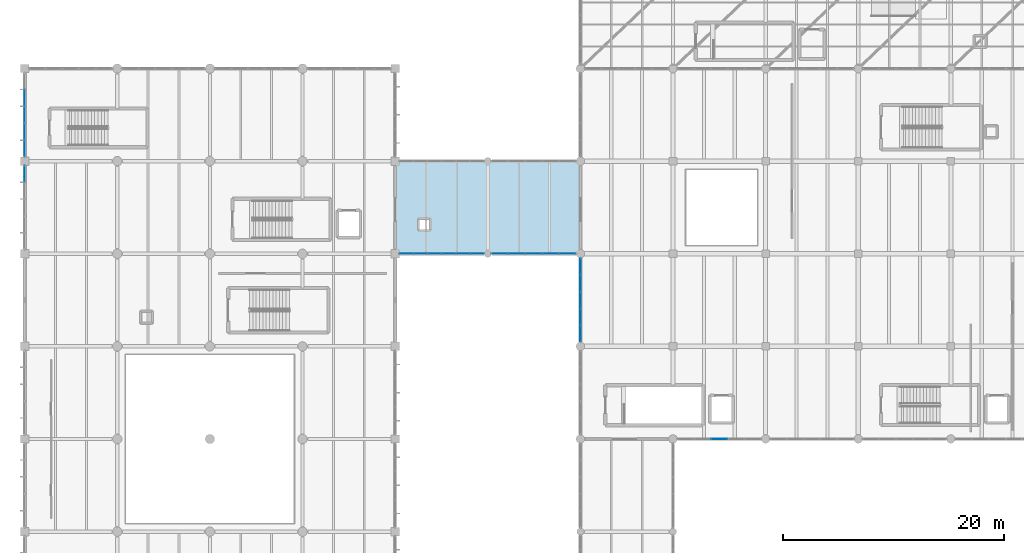
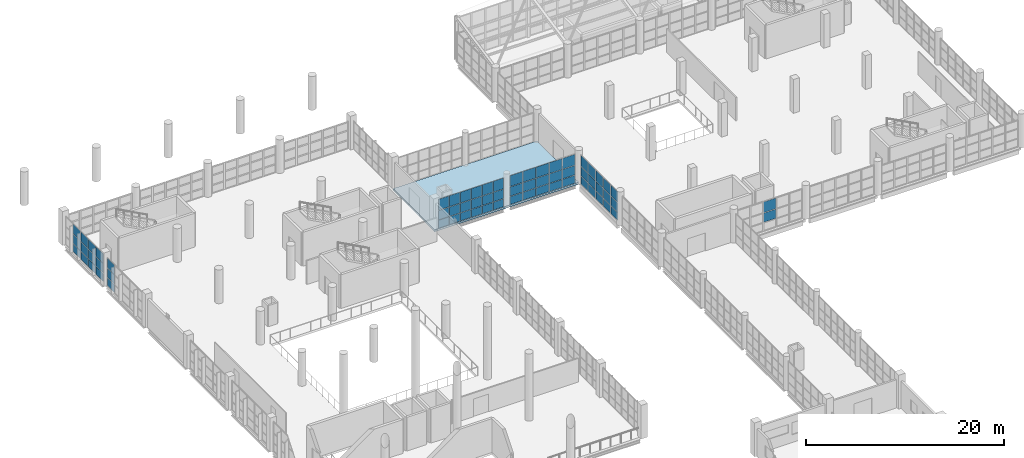
# One storey, part 129 of 177: 65 plates, 1 slab, 6 elements without a shape of their own.
"""IFC4 building model written with IfcOpenShell, lengths in metres."""

from ifc_helpers import new_model, si_unit, direction, frame, origin, origin_2d, place, context, subcontext, project, spatial, polyline, rectangle, outline, extrude, material, layer, layer_set, type_object, element, aggregate, save


model = new_model("IFC4")

# Units and contexts
model_context = context("Model", 3, precision=1e-05, world=origin(), true_north=direction((0.0, 1.0)))
body_context = subcontext(model_context, "Body", "Model", "MODEL_VIEW")
ifc_project = project(units=[si_unit("LENGTHUNIT", "METRE"), si_unit("AREAUNIT", "SQUARE_METRE"), si_unit("VOLUMEUNIT", "CUBIC_METRE"), si_unit("PLANEANGLEUNIT", "RADIAN"), si_unit("MASSUNIT", "GRAM", prefix="KILO"), si_unit("THERMODYNAMICTEMPERATUREUNIT", "KELVIN"), si_unit("POWERUNIT", "WATT")], contexts=[model_context])

# Site, building, storey
site_placement = place(None, origin())
site = spatial("IfcSite", under=ifc_project, at=site_placement, CompositionType="ELEMENT")
building_placement = place(site_placement, origin())
building = spatial("IfcBuilding", under=site, at=building_placement, Name="Mavoryth Pier Ferry Terminal", CompositionType="ELEMENT")
storey_placement = place(building_placement, frame((0.0, 0.0, 5.43994140625)))
storey = spatial("IfcBuildingStorey", under=building, at=storey_placement, Name="L01", CompositionType="ELEMENT", Elevation=5.43994140625)

# Curtain wall, plates
ifc_material_1 = material(Name="Anodised Aluminium and Solar-Control Low-E Glass", Category="aluminium")
ifc_layer_1 = layer(ifc_material_1, 0.179931640625, Name="Anodised Aluminium and Solar-Control Low-E Glass", Category="aluminium")
ifc_layer_set_1 = layer_set([ifc_layer_1], Name="Anodised Aluminium and Solar-Control Low-E Glass - CW-Concourse-Mod1400")
curtain_wall_type_1 = type_object("IfcCurtainWallType", Name="CW-Concourse-Mod1400", PredefinedType="USERDEFINED", material=ifc_layer_set_1)
curtain_wall_1_placement = place(storey_placement, origin())
curtain_wall_1 = element("IfcCurtainWall", 1, at=curtain_wall_1_placement, inside=storey, type_object=curtain_wall_type_1, Name="Curtain Wall CW-0122-027", ObjectType="UNITISED CURTAIN WALL", PredefinedType="USERDEFINED")
ifc_material_2 = material(Name="Solar-Control Low-E Laminated Double Glazing", Category="glass")
ifc_layer_2 = layer(ifc_material_2, 0.02392578125, Name="Solar-Control Low-E Laminated Double Glazing", Category="glass")
ifc_layer_set_2 = layer_set([ifc_layer_2], Name="Solar-Control Low-E Laminated Double Glazing - Panel-LowE-DGU-24")
plate_type = type_object("IfcPlateType", Name="Panel-LowE-DGU-24", PredefinedType="CURTAIN_PANEL", material=ifc_layer_set_2)
plate_1_placement = place(storey_placement, frame((0.0, 96.445068359375, 0.06005859375), z_axis=(0.0, 0.0, 1.0), x_axis=(0.0, -1.0, 0.0)))
plate_1 = element("IfcPlate", 2, at=plate_1_placement, type_object=plate_type, Name="CW01 panel 1.1", PredefinedType="CURTAIN_PANEL", context=body_context, shape_type="SweptSolid", body=[
    extrude(rectangle(XDim=1.43994140625, YDim=0.02392578125, at=origin_2d()), origin(), (0.0, 0.0, 1.0), 0.9599609375),
])
plate_2_placement = place(storey_placement, frame((0.0, 96.445068359375, 1.080078125), z_axis=(0.0, 0.0, 1.0), x_axis=(0.0, -1.0, 0.0)))
plate_2 = element("IfcPlate", 3, at=plate_2_placement, type_object=plate_type, Name="CW01 panel 1.2", PredefinedType="CURTAIN_PANEL", context=body_context, shape_type="SweptSolid", body=[
    extrude(rectangle(XDim=1.43994140625, YDim=0.02392578125, at=origin_2d()), origin(), (0.0, 0.0, 1.0), 1.139892578125),
])
plate_3_placement = place(storey_placement, frame((0.0, 96.445068359375, 2.2802734375), z_axis=(0.0, 0.0, 1.0), x_axis=(0.0, -1.0, 0.0)))
plate_3 = element("IfcPlate", 4, at=plate_3_placement, type_object=plate_type, Name="CW01 panel 1.3", PredefinedType="CURTAIN_PANEL", context=body_context, shape_type="SweptSolid", body=[
    extrude(rectangle(XDim=1.43994140625, YDim=0.02392578125, at=origin_2d()), origin(), (0.0, 0.0, 1.0), 1.175048828125),
])
aggregate(curtain_wall_1, [plate_1, plate_2, plate_3])

curtain_wall_2_placement = place(storey_placement, origin())
curtain_wall_2 = element("IfcCurtainWall", 5, at=curtain_wall_2_placement, inside=storey, type_object=curtain_wall_type_1, Name="Curtain Wall CW-0122-032", ObjectType="UNITISED CURTAIN WALL", PredefinedType="USERDEFINED")
plate_4_placement = place(storey_placement, frame((0.0, 103.330078125, 0.06005859375), z_axis=(0.0, 0.0, 1.0), x_axis=(0.0, -1.0, 0.0)))
plate_4 = element("IfcPlate", 6, at=plate_4_placement, type_object=plate_type, Name="CW01 panel 2.1", PredefinedType="CURTAIN_PANEL", context=body_context, shape_type="SweptSolid", body=[
    extrude(rectangle(XDim=1.469970703125, YDim=0.02392578125, at=origin_2d()), origin(), (0.0, 0.0, 1.0), 0.9599609375),
])
plate_5_placement = place(storey_placement, frame((0.0, 103.330078125, 1.080078125), z_axis=(0.0, 0.0, 1.0), x_axis=(0.0, -1.0, 0.0)))
plate_5 = element("IfcPlate", 7, at=plate_5_placement, type_object=plate_type, Name="CW01 panel 2.2", PredefinedType="CURTAIN_PANEL", context=body_context, shape_type="SweptSolid", body=[
    extrude(rectangle(XDim=1.469970703125, YDim=0.02392578125, at=origin_2d()), origin(), (0.0, 0.0, 1.0), 1.139892578125),
])
plate_6_placement = place(storey_placement, frame((0.0, 103.330078125, 2.2802734375), z_axis=(0.0, 0.0, 1.0), x_axis=(0.0, -1.0, 0.0)))
plate_6 = element("IfcPlate", 8, at=plate_6_placement, type_object=plate_type, Name="CW01 panel 2.3", PredefinedType="CURTAIN_PANEL", context=body_context, shape_type="SweptSolid", body=[
    extrude(rectangle(XDim=1.469970703125, YDim=0.02392578125, at=origin_2d()), origin(), (0.0, 0.0, 1.0), 1.175048828125),
])
plate_7_placement = place(storey_placement, frame((0.0, 101.800048828125, 0.06005859375), z_axis=(0.0, 0.0, 1.0), x_axis=(0.0, -1.0, 0.0)))
plate_7 = element("IfcPlate", 9, at=plate_7_placement, type_object=plate_type, Name="CW01 panel 3.1", PredefinedType="CURTAIN_PANEL", context=body_context, shape_type="SweptSolid", body=[
    extrude(rectangle(XDim=1.469970703125, YDim=0.02392578125, at=origin_2d()), origin(), (0.0, 0.0, 1.0), 0.9599609375),
])
plate_8_placement = place(storey_placement, frame((0.0, 101.800048828125, 1.080078125), z_axis=(0.0, 0.0, 1.0), x_axis=(0.0, -1.0, 0.0)))
plate_8 = element("IfcPlate", 10, at=plate_8_placement, type_object=plate_type, Name="CW01 panel 3.2", PredefinedType="CURTAIN_PANEL", context=body_context, shape_type="SweptSolid", body=[
    extrude(rectangle(XDim=1.469970703125, YDim=0.02392578125, at=origin_2d()), origin(), (0.0, 0.0, 1.0), 1.139892578125),
])
plate_9_placement = place(storey_placement, frame((0.0, 101.800048828125, 2.2802734375), z_axis=(0.0, 0.0, 1.0), x_axis=(0.0, -1.0, 0.0)))
plate_9 = element("IfcPlate", 11, at=plate_9_placement, type_object=plate_type, Name="CW01 panel 3.3", PredefinedType="CURTAIN_PANEL", context=body_context, shape_type="SweptSolid", body=[
    extrude(rectangle(XDim=1.469970703125, YDim=0.02392578125, at=origin_2d()), origin(), (0.0, 0.0, 1.0), 1.175048828125),
])
plate_10_placement = place(storey_placement, frame((0.0, 100.27001953125, 0.06005859375), z_axis=(0.0, 0.0, 1.0), x_axis=(0.0, -1.0, 0.0)))
plate_10 = element("IfcPlate", 12, at=plate_10_placement, type_object=plate_type, Name="CW01 panel 4.1", PredefinedType="CURTAIN_PANEL", context=body_context, shape_type="SweptSolid", body=[
    extrude(rectangle(XDim=1.469970703125, YDim=0.02392578125, at=origin_2d()), origin(), (0.0, 0.0, 1.0), 0.9599609375),
])
plate_11_placement = place(storey_placement, frame((0.0, 100.27001953125, 1.080078125), z_axis=(0.0, 0.0, 1.0), x_axis=(0.0, -1.0, 0.0)))
plate_11 = element("IfcPlate", 13, at=plate_11_placement, type_object=plate_type, Name="CW01 panel 4.2", PredefinedType="CURTAIN_PANEL", context=body_context, shape_type="SweptSolid", body=[
    extrude(rectangle(XDim=1.469970703125, YDim=0.02392578125, at=origin_2d()), origin(), (0.0, 0.0, 1.0), 1.139892578125),
])
plate_12_placement = place(storey_placement, frame((0.0, 100.27001953125, 2.2802734375), z_axis=(0.0, 0.0, 1.0), x_axis=(0.0, -1.0, 0.0)))
plate_12 = element("IfcPlate", 14, at=plate_12_placement, type_object=plate_type, Name="CW01 panel 4.3", PredefinedType="CURTAIN_PANEL", context=body_context, shape_type="SweptSolid", body=[
    extrude(rectangle(XDim=1.469970703125, YDim=0.02392578125, at=origin_2d()), origin(), (0.0, 0.0, 1.0), 1.175048828125),
])
plate_13_placement = place(storey_placement, frame((0.0, 98.7548828125, 0.06005859375), z_axis=(0.0, 0.0, 1.0), x_axis=(0.0, -1.0, 0.0)))
plate_13 = element("IfcPlate", 15, at=plate_13_placement, type_object=plate_type, Name="CW01 panel 5.1", PredefinedType="CURTAIN_PANEL", context=body_context, shape_type="SweptSolid", body=[
    extrude(rectangle(XDim=1.43994140625, YDim=0.02392578125, at=origin_2d()), origin(), (0.0, 0.0, 1.0), 0.9599609375),
])
plate_14_placement = place(storey_placement, frame((0.0, 98.7548828125, 1.080078125), z_axis=(0.0, 0.0, 1.0), x_axis=(0.0, -1.0, 0.0)))
plate_14 = element("IfcPlate", 16, at=plate_14_placement, type_object=plate_type, Name="CW01 panel 5.2", PredefinedType="CURTAIN_PANEL", context=body_context, shape_type="SweptSolid", body=[
    extrude(rectangle(XDim=1.43994140625, YDim=0.02392578125, at=origin_2d()), origin(), (0.0, 0.0, 1.0), 1.139892578125),
])
plate_15_placement = place(storey_placement, frame((0.0, 98.7548828125, 2.2802734375), z_axis=(0.0, 0.0, 1.0), x_axis=(0.0, -1.0, 0.0)))
plate_15 = element("IfcPlate", 17, at=plate_15_placement, type_object=plate_type, Name="CW01 panel 5.3", PredefinedType="CURTAIN_PANEL", context=body_context, shape_type="SweptSolid", body=[
    extrude(rectangle(XDim=1.43994140625, YDim=0.02392578125, at=origin_2d()), origin(), (0.0, 0.0, 1.0), 1.175048828125),
])
aggregate(curtain_wall_2, [plate_4, plate_5, plate_6, plate_7, plate_8, plate_9, plate_10, plate_11, plate_12, plate_13, plate_14, plate_15])

ifc_layer_3 = layer(ifc_material_1, 0.159912109375, Name="Anodised Aluminium and Solar-Control Low-E Glass", Category="aluminium")
ifc_layer_set_3 = layer_set([ifc_layer_3], Name="Anodised Aluminium and Solar-Control Low-E Glass - CW-Arrivals-Mod1400")
curtain_wall_type_2 = type_object("IfcCurtainWallType", Name="CW-Arrivals-Mod1400", PredefinedType="USERDEFINED", material=ifc_layer_set_3)
curtain_wall_3_placement = place(storey_placement, origin())
curtain_wall_3 = element("IfcCurtainWall", 18, at=curtain_wall_3_placement, inside=storey, type_object=curtain_wall_type_2, Name="Curtain Wall CW-0122-053", ObjectType="UNITISED CURTAIN WALL", PredefinedType="USERDEFINED")
plate_16_placement = place(storey_placement, frame((63.0, 72.39990234375, 1.080078125), z_axis=(0.0, 0.0, 1.0), x_axis=(1.0, 0.0, 0.0)))
plate_16 = element("IfcPlate", 19, at=plate_16_placement, type_object=plate_type, Name="CW04 panel 3.2", PredefinedType="CURTAIN_PANEL", context=body_context, shape_type="SweptSolid", body=[
    extrude(rectangle(XDim=1.464111328125, YDim=0.02392578125, at=origin_2d()), origin(), (0.0, 0.0, 1.0), 1.139892578125),
])
plate_17_placement = place(storey_placement, frame((63.0, 72.39990234375, 2.27978515625), z_axis=(0.0, 0.0, 1.0), x_axis=(1.0, 0.0, 0.0)))
plate_17 = element("IfcPlate", 20, at=plate_17_placement, type_object=plate_type, Name="CW04 panel 3.3", PredefinedType="CURTAIN_PANEL", context=body_context, shape_type="SweptSolid", body=[
    extrude(rectangle(XDim=1.464111328125, YDim=0.02392578125, at=origin_2d()), origin(), (0.0, 0.0, 1.0), 1.320068359375),
])
aggregate(curtain_wall_3, [plate_16, plate_17])

curtain_wall_4_placement = place(storey_placement, origin())
curtain_wall_4 = element("IfcCurtainWall", 21, at=curtain_wall_4_placement, inside=storey, type_object=curtain_wall_type_2, Name="Curtain Wall CW-0122-066", ObjectType="UNITISED CURTAIN WALL", PredefinedType="USERDEFINED")
plate_18_placement = place(storey_placement, frame((50.39990234375, 88.032958984375, 0.06005859375), z_axis=(0.0, 0.0, 1.0), x_axis=(0.0, -1.0, 0.0)))
plate_18 = element("IfcPlate", 22, at=plate_18_placement, type_object=plate_type, Name="CW04 panel 1.1", PredefinedType="CURTAIN_PANEL", context=body_context, shape_type="SweptSolid", body=[
    extrude(rectangle(XDim=1.43408203125, YDim=0.02392578125, at=origin_2d()), origin(), (0.0, 0.0, 1.0), 0.9599609375),
])
plate_19_placement = place(storey_placement, frame((50.39990234375, 88.032958984375, 1.080078125), z_axis=(0.0, 0.0, 1.0), x_axis=(0.0, -1.0, 0.0)))
plate_19 = element("IfcPlate", 23, at=plate_19_placement, type_object=plate_type, Name="CW04 panel 1.2", PredefinedType="CURTAIN_PANEL", context=body_context, shape_type="SweptSolid", body=[
    extrude(rectangle(XDim=1.43408203125, YDim=0.02392578125, at=origin_2d()), origin(), (0.0, 0.0, 1.0), 1.139892578125),
])
plate_20_placement = place(storey_placement, frame((50.39990234375, 88.032958984375, 2.27978515625), z_axis=(0.0, 0.0, 1.0), x_axis=(0.0, -1.0, 0.0)))
plate_20 = element("IfcPlate", 24, at=plate_20_placement, type_object=plate_type, Name="CW04 panel 1.3", PredefinedType="CURTAIN_PANEL", context=body_context, shape_type="SweptSolid", body=[
    extrude(rectangle(XDim=1.43408203125, YDim=0.02392578125, at=origin_2d()), origin(), (0.0, 0.0, 1.0), 1.320068359375),
])
plate_21_placement = place(storey_placement, frame((50.39990234375, 86.52392578125, 0.06005859375), z_axis=(0.0, 0.0, 1.0), x_axis=(0.0, -1.0, 0.0)))
plate_21 = element("IfcPlate", 25, at=plate_21_placement, type_object=plate_type, Name="CW04 panel 2.1", PredefinedType="CURTAIN_PANEL", context=body_context, shape_type="SweptSolid", body=[
    extrude(rectangle(XDim=1.464111328125, YDim=0.02392578125, at=origin_2d()), origin(), (0.0, 0.0, 1.0), 0.9599609375),
])
plate_22_placement = place(storey_placement, frame((50.39990234375, 86.52392578125, 1.080078125), z_axis=(0.0, 0.0, 1.0), x_axis=(0.0, -1.0, 0.0)))
plate_22 = element("IfcPlate", 26, at=plate_22_placement, type_object=plate_type, Name="CW04 panel 2.2", PredefinedType="CURTAIN_PANEL", context=body_context, shape_type="SweptSolid", body=[
    extrude(rectangle(XDim=1.464111328125, YDim=0.02392578125, at=origin_2d()), origin(), (0.0, 0.0, 1.0), 1.139892578125),
])
plate_23_placement = place(storey_placement, frame((50.39990234375, 86.52392578125, 2.27978515625), z_axis=(0.0, 0.0, 1.0), x_axis=(0.0, -1.0, 0.0)))
plate_23 = element("IfcPlate", 27, at=plate_23_placement, type_object=plate_type, Name="CW04 panel 2.3", PredefinedType="CURTAIN_PANEL", context=body_context, shape_type="SweptSolid", body=[
    extrude(rectangle(XDim=1.464111328125, YDim=0.02392578125, at=origin_2d()), origin(), (0.0, 0.0, 1.0), 1.320068359375),
])
plate_24_placement = place(storey_placement, frame((50.39990234375, 85.0, 0.06005859375), z_axis=(0.0, 0.0, 1.0), x_axis=(0.0, -1.0, 0.0)))
plate_24 = element("IfcPlate", 28, at=plate_24_placement, type_object=plate_type, Name="CW04 panel 3.1", PredefinedType="CURTAIN_PANEL", context=body_context, shape_type="SweptSolid", body=[
    extrude(rectangle(XDim=1.464111328125, YDim=0.02392578125, at=origin_2d()), origin(), (0.0, 0.0, 1.0), 0.9599609375),
])
plate_25_placement = place(storey_placement, frame((50.39990234375, 85.0, 1.080078125), z_axis=(0.0, 0.0, 1.0), x_axis=(0.0, -1.0, 0.0)))
plate_25 = element("IfcPlate", 29, at=plate_25_placement, type_object=plate_type, Name="CW04 panel 3.2", PredefinedType="CURTAIN_PANEL", context=body_context, shape_type="SweptSolid", body=[
    extrude(rectangle(XDim=1.464111328125, YDim=0.02392578125, at=origin_2d()), origin(), (0.0, 0.0, 1.0), 1.139892578125),
])
plate_26_placement = place(storey_placement, frame((50.39990234375, 85.0, 2.27978515625), z_axis=(0.0, 0.0, 1.0), x_axis=(0.0, -1.0, 0.0)))
plate_26 = element("IfcPlate", 30, at=plate_26_placement, type_object=plate_type, Name="CW04 panel 3.3", PredefinedType="CURTAIN_PANEL", context=body_context, shape_type="SweptSolid", body=[
    extrude(rectangle(XDim=1.464111328125, YDim=0.02392578125, at=origin_2d()), origin(), (0.0, 0.0, 1.0), 1.320068359375),
])
plate_27_placement = place(storey_placement, frame((50.39990234375, 83.47607421875, 0.06005859375), z_axis=(0.0, 0.0, 1.0), x_axis=(0.0, -1.0, 0.0)))
plate_27 = element("IfcPlate", 31, at=plate_27_placement, type_object=plate_type, Name="CW04 panel 4.1", PredefinedType="CURTAIN_PANEL", context=body_context, shape_type="SweptSolid", body=[
    extrude(rectangle(XDim=1.464111328125, YDim=0.02392578125, at=origin_2d()), origin(), (0.0, 0.0, 1.0), 0.9599609375),
])
plate_28_placement = place(storey_placement, frame((50.39990234375, 83.47607421875, 1.080078125), z_axis=(0.0, 0.0, 1.0), x_axis=(0.0, -1.0, 0.0)))
plate_28 = element("IfcPlate", 32, at=plate_28_placement, type_object=plate_type, Name="CW04 panel 4.2", PredefinedType="CURTAIN_PANEL", context=body_context, shape_type="SweptSolid", body=[
    extrude(rectangle(XDim=1.464111328125, YDim=0.02392578125, at=origin_2d()), origin(), (0.0, 0.0, 1.0), 1.139892578125),
])
plate_29_placement = place(storey_placement, frame((50.39990234375, 83.47607421875, 2.27978515625), z_axis=(0.0, 0.0, 1.0), x_axis=(0.0, -1.0, 0.0)))
plate_29 = element("IfcPlate", 33, at=plate_29_placement, type_object=plate_type, Name="CW04 panel 4.3", PredefinedType="CURTAIN_PANEL", context=body_context, shape_type="SweptSolid", body=[
    extrude(rectangle(XDim=1.464111328125, YDim=0.02392578125, at=origin_2d()), origin(), (0.0, 0.0, 1.0), 1.320068359375),
])
plate_30_placement = place(storey_placement, frame((50.39990234375, 81.967041015625, 0.06005859375), z_axis=(0.0, 0.0, 1.0), x_axis=(0.0, -1.0, 0.0)))
plate_30 = element("IfcPlate", 34, at=plate_30_placement, type_object=plate_type, Name="CW04 panel 5.1", PredefinedType="CURTAIN_PANEL", context=body_context, shape_type="SweptSolid", body=[
    extrude(rectangle(XDim=1.43408203125, YDim=0.02392578125, at=origin_2d()), origin(), (0.0, 0.0, 1.0), 0.9599609375),
])
plate_31_placement = place(storey_placement, frame((50.39990234375, 81.967041015625, 1.080078125), z_axis=(0.0, 0.0, 1.0), x_axis=(0.0, -1.0, 0.0)))
plate_31 = element("IfcPlate", 35, at=plate_31_placement, type_object=plate_type, Name="CW04 panel 5.2", PredefinedType="CURTAIN_PANEL", context=body_context, shape_type="SweptSolid", body=[
    extrude(rectangle(XDim=1.43408203125, YDim=0.02392578125, at=origin_2d()), origin(), (0.0, 0.0, 1.0), 1.139892578125),
])
plate_32_placement = place(storey_placement, frame((50.39990234375, 81.967041015625, 2.27978515625), z_axis=(0.0, 0.0, 1.0), x_axis=(0.0, -1.0, 0.0)))
plate_32 = element("IfcPlate", 36, at=plate_32_placement, type_object=plate_type, Name="CW04 panel 5.3", PredefinedType="CURTAIN_PANEL", context=body_context, shape_type="SweptSolid", body=[
    extrude(rectangle(XDim=1.43408203125, YDim=0.02392578125, at=origin_2d()), origin(), (0.0, 0.0, 1.0), 1.320068359375),
])
aggregate(curtain_wall_4, [plate_18, plate_19, plate_20, plate_21, plate_22, plate_23, plate_24, plate_25, plate_26, plate_27, plate_28, plate_29, plate_30, plate_31, plate_32])

ifc_layer_4 = layer(ifc_material_1, 0.1201171875, Name="Anodised Aluminium and Solar-Control Low-E Glass", Category="aluminium")
ifc_layer_set_4 = layer_set([ifc_layer_4], Name="Anodised Aluminium and Solar-Control Low-E Glass - CW-BridgeLink-Mod1400")
curtain_wall_type_3 = type_object("IfcCurtainWallType", Name="CW-BridgeLink-Mod1400", PredefinedType="USERDEFINED", material=ifc_layer_set_4)
curtain_wall_5_placement = place(storey_placement, origin())
curtain_wall_5 = element("IfcCurtainWall", 37, at=curtain_wall_5_placement, inside=storey, type_object=curtain_wall_type_3, Name="Curtain Wall CW-0111-098", ObjectType="UNITISED CURTAIN WALL", PredefinedType="USERDEFINED")
plate_33_placement = place(storey_placement, frame((34.63037109375, 89.199951171875, 0.05517578125), z_axis=(0.0, 0.0, 1.0), x_axis=(1.0, 0.0, 0.0)))
plate_33 = element("IfcPlate", 38, at=plate_33_placement, type_object=plate_type, Name="CW08 panel 1.1", PredefinedType="CURTAIN_PANEL", context=body_context, shape_type="SweptSolid", body=[
    extrude(rectangle(XDim=1.200927734375, YDim=0.02392578125, at=origin_2d()), origin(), (0.0, 0.0, 1.0), 0.967529296875),
])
plate_34_placement = place(storey_placement, frame((34.63037109375, 89.199951171875, 1.07763671875), z_axis=(0.0, 0.0, 1.0), x_axis=(1.0, 0.0, 0.0)))
plate_34 = element("IfcPlate", 39, at=plate_34_placement, type_object=plate_type, Name="CW08 panel 1.2", PredefinedType="CURTAIN_PANEL", context=body_context, shape_type="SweptSolid", body=[
    extrude(rectangle(XDim=1.200927734375, YDim=0.02392578125, at=origin_2d()), origin(), (0.0, 0.0, 1.0), 1.14501953125),
])
plate_35_placement = place(storey_placement, frame((34.63037109375, 89.199951171875, 2.277587890625), z_axis=(0.0, 0.0, 1.0), x_axis=(1.0, 0.0, 0.0)))
plate_35 = element("IfcPlate", 40, at=plate_35_placement, type_object=plate_type, Name="CW08 panel 1.3", PredefinedType="CURTAIN_PANEL", context=body_context, shape_type="SweptSolid", body=[
    extrude(rectangle(XDim=1.200927734375, YDim=0.02392578125, at=origin_2d()), origin(), (0.0, 0.0, 1.0), 1.33251953125),
])
plate_36_placement = place(storey_placement, frame((35.89990234375, 89.199951171875, 0.05517578125), z_axis=(0.0, 0.0, 1.0), x_axis=(1.0, 0.0, 0.0)))
plate_36 = element("IfcPlate", 41, at=plate_36_placement, type_object=plate_type, Name="CW08 panel 2.1", PredefinedType="CURTAIN_PANEL", context=body_context, shape_type="SweptSolid", body=[
    extrude(rectangle(XDim=1.228271484375, YDim=0.02392578125, at=origin_2d()), origin(), (0.0, 0.0, 1.0), 0.967529296875),
])
plate_37_placement = place(storey_placement, frame((35.89990234375, 89.199951171875, 1.07763671875), z_axis=(0.0, 0.0, 1.0), x_axis=(1.0, 0.0, 0.0)))
plate_37 = element("IfcPlate", 42, at=plate_37_placement, type_object=plate_type, Name="CW08 panel 2.2", PredefinedType="CURTAIN_PANEL", context=body_context, shape_type="SweptSolid", body=[
    extrude(rectangle(XDim=1.228271484375, YDim=0.02392578125, at=origin_2d()), origin(), (0.0, 0.0, 1.0), 1.14501953125),
])
plate_38_placement = place(storey_placement, frame((35.89990234375, 89.199951171875, 2.277587890625), z_axis=(0.0, 0.0, 1.0), x_axis=(1.0, 0.0, 0.0)))
plate_38 = element("IfcPlate", 43, at=plate_38_placement, type_object=plate_type, Name="CW08 panel 2.3", PredefinedType="CURTAIN_PANEL", context=body_context, shape_type="SweptSolid", body=[
    extrude(rectangle(XDim=1.228271484375, YDim=0.02392578125, at=origin_2d()), origin(), (0.0, 0.0, 1.0), 1.33251953125),
])
plate_39_placement = place(storey_placement, frame((37.183349609375, 89.199951171875, 0.05517578125), z_axis=(0.0, 0.0, 1.0), x_axis=(1.0, 0.0, 0.0)))
plate_39 = element("IfcPlate", 44, at=plate_39_placement, type_object=plate_type, Name="CW08 panel 3.1", PredefinedType="CURTAIN_PANEL", context=body_context, shape_type="SweptSolid", body=[
    extrude(rectangle(XDim=1.228271484375, YDim=0.02392578125, at=origin_2d()), origin(), (0.0, 0.0, 1.0), 0.967529296875),
])
plate_40_placement = place(storey_placement, frame((37.183349609375, 89.199951171875, 1.07763671875), z_axis=(0.0, 0.0, 1.0), x_axis=(1.0, 0.0, 0.0)))
plate_40 = element("IfcPlate", 45, at=plate_40_placement, type_object=plate_type, Name="CW08 panel 3.2", PredefinedType="CURTAIN_PANEL", context=body_context, shape_type="SweptSolid", body=[
    extrude(rectangle(XDim=1.228271484375, YDim=0.02392578125, at=origin_2d()), origin(), (0.0, 0.0, 1.0), 1.14501953125),
])
plate_41_placement = place(storey_placement, frame((37.183349609375, 89.199951171875, 2.277587890625), z_axis=(0.0, 0.0, 1.0), x_axis=(1.0, 0.0, 0.0)))
plate_41 = element("IfcPlate", 46, at=plate_41_placement, type_object=plate_type, Name="CW08 panel 3.3", PredefinedType="CURTAIN_PANEL", context=body_context, shape_type="SweptSolid", body=[
    extrude(rectangle(XDim=1.228271484375, YDim=0.02392578125, at=origin_2d()), origin(), (0.0, 0.0, 1.0), 1.33251953125),
])
plate_42_placement = place(storey_placement, frame((38.466552734375, 89.199951171875, 0.05517578125), z_axis=(0.0, 0.0, 1.0), x_axis=(1.0, 0.0, 0.0)))
plate_42 = element("IfcPlate", 47, at=plate_42_placement, type_object=plate_type, Name="CW08 panel 4.1", PredefinedType="CURTAIN_PANEL", context=body_context, shape_type="SweptSolid", body=[
    extrude(rectangle(XDim=1.228271484375, YDim=0.02392578125, at=origin_2d()), origin(), (0.0, 0.0, 1.0), 0.967529296875),
])
plate_43_placement = place(storey_placement, frame((38.466552734375, 89.199951171875, 1.07763671875), z_axis=(0.0, 0.0, 1.0), x_axis=(1.0, 0.0, 0.0)))
plate_43 = element("IfcPlate", 48, at=plate_43_placement, type_object=plate_type, Name="CW08 panel 4.2", PredefinedType="CURTAIN_PANEL", context=body_context, shape_type="SweptSolid", body=[
    extrude(rectangle(XDim=1.228271484375, YDim=0.02392578125, at=origin_2d()), origin(), (0.0, 0.0, 1.0), 1.14501953125),
])
plate_44_placement = place(storey_placement, frame((38.466552734375, 89.199951171875, 2.277587890625), z_axis=(0.0, 0.0, 1.0), x_axis=(1.0, 0.0, 0.0)))
plate_44 = element("IfcPlate", 49, at=plate_44_placement, type_object=plate_type, Name="CW08 panel 4.3", PredefinedType="CURTAIN_PANEL", context=body_context, shape_type="SweptSolid", body=[
    extrude(rectangle(XDim=1.228271484375, YDim=0.02392578125, at=origin_2d()), origin(), (0.0, 0.0, 1.0), 1.33251953125),
])
plate_45_placement = place(storey_placement, frame((39.75, 89.199951171875, 0.05517578125), z_axis=(0.0, 0.0, 1.0), x_axis=(1.0, 0.0, 0.0)))
plate_45 = element("IfcPlate", 50, at=plate_45_placement, type_object=plate_type, Name="CW08 panel 5.1", PredefinedType="CURTAIN_PANEL", context=body_context, shape_type="SweptSolid", body=[
    extrude(rectangle(XDim=1.228271484375, YDim=0.02392578125, at=origin_2d()), origin(), (0.0, 0.0, 1.0), 0.967529296875),
])
plate_46_placement = place(storey_placement, frame((39.75, 89.199951171875, 1.07763671875), z_axis=(0.0, 0.0, 1.0), x_axis=(1.0, 0.0, 0.0)))
plate_46 = element("IfcPlate", 51, at=plate_46_placement, type_object=plate_type, Name="CW08 panel 5.2", PredefinedType="CURTAIN_PANEL", context=body_context, shape_type="SweptSolid", body=[
    extrude(rectangle(XDim=1.228271484375, YDim=0.02392578125, at=origin_2d()), origin(), (0.0, 0.0, 1.0), 1.14501953125),
])
plate_47_placement = place(storey_placement, frame((39.75, 89.199951171875, 2.277587890625), z_axis=(0.0, 0.0, 1.0), x_axis=(1.0, 0.0, 0.0)))
plate_47 = element("IfcPlate", 52, at=plate_47_placement, type_object=plate_type, Name="CW08 panel 5.3", PredefinedType="CURTAIN_PANEL", context=body_context, shape_type="SweptSolid", body=[
    extrude(rectangle(XDim=1.228271484375, YDim=0.02392578125, at=origin_2d()), origin(), (0.0, 0.0, 1.0), 1.33251953125),
])
plate_48_placement = place(storey_placement, frame((41.01953125, 89.199951171875, 0.05517578125), z_axis=(0.0, 0.0, 1.0), x_axis=(1.0, 0.0, 0.0)))
plate_48 = element("IfcPlate", 53, at=plate_48_placement, type_object=plate_type, Name="CW08 panel 6.1", PredefinedType="CURTAIN_PANEL", context=body_context, shape_type="SweptSolid", body=[
    extrude(rectangle(XDim=1.200927734375, YDim=0.02392578125, at=origin_2d()), origin(), (0.0, 0.0, 1.0), 0.967529296875),
])
plate_49_placement = place(storey_placement, frame((41.01953125, 89.199951171875, 1.07763671875), z_axis=(0.0, 0.0, 1.0), x_axis=(1.0, 0.0, 0.0)))
plate_49 = element("IfcPlate", 54, at=plate_49_placement, type_object=plate_type, Name="CW08 panel 6.2", PredefinedType="CURTAIN_PANEL", context=body_context, shape_type="SweptSolid", body=[
    extrude(rectangle(XDim=1.200927734375, YDim=0.02392578125, at=origin_2d()), origin(), (0.0, 0.0, 1.0), 1.14501953125),
])
plate_50_placement = place(storey_placement, frame((41.01953125, 89.199951171875, 2.277587890625), z_axis=(0.0, 0.0, 1.0), x_axis=(1.0, 0.0, 0.0)))
plate_50 = element("IfcPlate", 55, at=plate_50_placement, type_object=plate_type, Name="CW08 panel 6.3", PredefinedType="CURTAIN_PANEL", context=body_context, shape_type="SweptSolid", body=[
    extrude(rectangle(XDim=1.200927734375, YDim=0.02392578125, at=origin_2d()), origin(), (0.0, 0.0, 1.0), 1.33251953125),
])
aggregate(curtain_wall_5, [plate_33, plate_34, plate_35, plate_36, plate_37, plate_38, plate_39, plate_40, plate_41, plate_42, plate_43, plate_44, plate_45, plate_46, plate_47, plate_48, plate_49, plate_50])

curtain_wall_6_placement = place(storey_placement, origin())
curtain_wall_6 = element("IfcCurtainWall", 56, at=curtain_wall_6_placement, inside=storey, type_object=curtain_wall_type_3, Name="Curtain Wall CW-0111-100", ObjectType="UNITISED CURTAIN WALL", PredefinedType="USERDEFINED")
plate_51_placement = place(storey_placement, frame((43.107177734375, 89.199951171875, 0.05517578125), z_axis=(0.0, 0.0, 1.0), x_axis=(1.0, 0.0, 0.0)))
plate_51 = element("IfcPlate", 57, at=plate_51_placement, type_object=plate_type, Name="CW08 panel 1.1", PredefinedType="CURTAIN_PANEL", context=body_context, shape_type="SweptSolid", body=[
    extrude(rectangle(XDim=1.45458984375, YDim=0.02392578125, at=origin_2d()), origin(), (0.0, 0.0, 1.0), 0.967529296875),
])
plate_52_placement = place(storey_placement, frame((43.107177734375, 89.199951171875, 1.07763671875), z_axis=(0.0, 0.0, 1.0), x_axis=(1.0, 0.0, 0.0)))
plate_52 = element("IfcPlate", 58, at=plate_52_placement, type_object=plate_type, Name="CW08 panel 1.2", PredefinedType="CURTAIN_PANEL", context=body_context, shape_type="SweptSolid", body=[
    extrude(rectangle(XDim=1.45458984375, YDim=0.02392578125, at=origin_2d()), origin(), (0.0, 0.0, 1.0), 1.14501953125),
])
plate_53_placement = place(storey_placement, frame((43.107177734375, 89.199951171875, 2.277587890625), z_axis=(0.0, 0.0, 1.0), x_axis=(1.0, 0.0, 0.0)))
plate_53 = element("IfcPlate", 59, at=plate_53_placement, type_object=plate_type, Name="CW08 panel 1.3", PredefinedType="CURTAIN_PANEL", context=body_context, shape_type="SweptSolid", body=[
    extrude(rectangle(XDim=1.45458984375, YDim=0.02392578125, at=origin_2d()), origin(), (0.0, 0.0, 1.0), 1.33251953125),
])
plate_54_placement = place(storey_placement, frame((44.630615234375, 89.199951171875, 0.05517578125), z_axis=(0.0, 0.0, 1.0), x_axis=(1.0, 0.0, 0.0)))
plate_54 = element("IfcPlate", 60, at=plate_54_placement, type_object=plate_type, Name="CW08 panel 2.1", PredefinedType="CURTAIN_PANEL", context=body_context, shape_type="SweptSolid", body=[
    extrude(rectangle(XDim=1.48193359375, YDim=0.02392578125, at=origin_2d()), origin(), (0.0, 0.0, 1.0), 0.967529296875),
])
plate_55_placement = place(storey_placement, frame((44.630615234375, 89.199951171875, 1.07763671875), z_axis=(0.0, 0.0, 1.0), x_axis=(1.0, 0.0, 0.0)))
plate_55 = element("IfcPlate", 61, at=plate_55_placement, type_object=plate_type, Name="CW08 panel 2.2", PredefinedType="CURTAIN_PANEL", context=body_context, shape_type="SweptSolid", body=[
    extrude(rectangle(XDim=1.48193359375, YDim=0.02392578125, at=origin_2d()), origin(), (0.0, 0.0, 1.0), 1.14501953125),
])
plate_56_placement = place(storey_placement, frame((44.630615234375, 89.199951171875, 2.277587890625), z_axis=(0.0, 0.0, 1.0), x_axis=(1.0, 0.0, 0.0)))
plate_56 = element("IfcPlate", 62, at=plate_56_placement, type_object=plate_type, Name="CW08 panel 2.3", PredefinedType="CURTAIN_PANEL", context=body_context, shape_type="SweptSolid", body=[
    extrude(rectangle(XDim=1.48193359375, YDim=0.02392578125, at=origin_2d()), origin(), (0.0, 0.0, 1.0), 1.33251953125),
])
plate_57_placement = place(storey_placement, frame((46.16748046875, 89.199951171875, 0.05517578125), z_axis=(0.0, 0.0, 1.0), x_axis=(1.0, 0.0, 0.0)))
plate_57 = element("IfcPlate", 63, at=plate_57_placement, type_object=plate_type, Name="CW08 panel 3.1", PredefinedType="CURTAIN_PANEL", context=body_context, shape_type="SweptSolid", body=[
    extrude(rectangle(XDim=1.48193359375, YDim=0.02392578125, at=origin_2d()), origin(), (0.0, 0.0, 1.0), 0.967529296875),
])
plate_58_placement = place(storey_placement, frame((46.16748046875, 89.199951171875, 1.07763671875), z_axis=(0.0, 0.0, 1.0), x_axis=(1.0, 0.0, 0.0)))
plate_58 = element("IfcPlate", 64, at=plate_58_placement, type_object=plate_type, Name="CW08 panel 3.2", PredefinedType="CURTAIN_PANEL", context=body_context, shape_type="SweptSolid", body=[
    extrude(rectangle(XDim=1.48193359375, YDim=0.02392578125, at=origin_2d()), origin(), (0.0, 0.0, 1.0), 1.14501953125),
])
plate_59_placement = place(storey_placement, frame((46.16748046875, 89.199951171875, 2.277587890625), z_axis=(0.0, 0.0, 1.0), x_axis=(1.0, 0.0, 0.0)))
plate_59 = element("IfcPlate", 65, at=plate_59_placement, type_object=plate_type, Name="CW08 panel 3.3", PredefinedType="CURTAIN_PANEL", context=body_context, shape_type="SweptSolid", body=[
    extrude(rectangle(XDim=1.48193359375, YDim=0.02392578125, at=origin_2d()), origin(), (0.0, 0.0, 1.0), 1.33251953125),
])
plate_60_placement = place(storey_placement, frame((47.70458984375, 89.199951171875, 0.05517578125), z_axis=(0.0, 0.0, 1.0), x_axis=(1.0, 0.0, 0.0)))
plate_60 = element("IfcPlate", 66, at=plate_60_placement, type_object=plate_type, Name="CW08 panel 4.1", PredefinedType="CURTAIN_PANEL", context=body_context, shape_type="SweptSolid", body=[
    extrude(rectangle(XDim=1.48193359375, YDim=0.02392578125, at=origin_2d()), origin(), (0.0, 0.0, 1.0), 0.967529296875),
])
plate_61_placement = place(storey_placement, frame((47.70458984375, 89.199951171875, 1.07763671875), z_axis=(0.0, 0.0, 1.0), x_axis=(1.0, 0.0, 0.0)))
plate_61 = element("IfcPlate", 67, at=plate_61_placement, type_object=plate_type, Name="CW08 panel 4.2", PredefinedType="CURTAIN_PANEL", context=body_context, shape_type="SweptSolid", body=[
    extrude(rectangle(XDim=1.48193359375, YDim=0.02392578125, at=origin_2d()), origin(), (0.0, 0.0, 1.0), 1.14501953125),
])
plate_62_placement = place(storey_placement, frame((47.70458984375, 89.199951171875, 2.277587890625), z_axis=(0.0, 0.0, 1.0), x_axis=(1.0, 0.0, 0.0)))
plate_62 = element("IfcPlate", 68, at=plate_62_placement, type_object=plate_type, Name="CW08 panel 4.3", PredefinedType="CURTAIN_PANEL", context=body_context, shape_type="SweptSolid", body=[
    extrude(rectangle(XDim=1.48193359375, YDim=0.02392578125, at=origin_2d()), origin(), (0.0, 0.0, 1.0), 1.33251953125),
])
plate_63_placement = place(storey_placement, frame((49.227783203125, 89.199951171875, 0.05517578125), z_axis=(0.0, 0.0, 1.0), x_axis=(1.0, 0.0, 0.0)))
plate_63 = element("IfcPlate", 69, at=plate_63_placement, type_object=plate_type, Name="CW08 panel 5.1", PredefinedType="CURTAIN_PANEL", context=body_context, shape_type="SweptSolid", body=[
    extrude(rectangle(XDim=1.45458984375, YDim=0.02392578125, at=origin_2d()), origin(), (0.0, 0.0, 1.0), 0.967529296875),
])
plate_64_placement = place(storey_placement, frame((49.227783203125, 89.199951171875, 1.07763671875), z_axis=(0.0, 0.0, 1.0), x_axis=(1.0, 0.0, 0.0)))
plate_64 = element("IfcPlate", 70, at=plate_64_placement, type_object=plate_type, Name="CW08 panel 5.2", PredefinedType="CURTAIN_PANEL", context=body_context, shape_type="SweptSolid", body=[
    extrude(rectangle(XDim=1.45458984375, YDim=0.02392578125, at=origin_2d()), origin(), (0.0, 0.0, 1.0), 1.14501953125),
])
plate_65_placement = place(storey_placement, frame((49.227783203125, 89.199951171875, 2.277587890625), z_axis=(0.0, 0.0, 1.0), x_axis=(1.0, 0.0, 0.0)))
plate_65 = element("IfcPlate", 71, at=plate_65_placement, type_object=plate_type, Name="CW08 panel 5.3", PredefinedType="CURTAIN_PANEL", context=body_context, shape_type="SweptSolid", body=[
    extrude(rectangle(XDim=1.45458984375, YDim=0.02392578125, at=origin_2d()), origin(), (0.0, 0.0, 1.0), 1.33251953125),
])
aggregate(curtain_wall_6, [plate_51, plate_52, plate_53, plate_54, plate_55, plate_56, plate_57, plate_58, plate_59, plate_60, plate_61, plate_62, plate_63, plate_64, plate_65])

# Slab
ifc_material_3 = material(Name="Concrete C35/45", Category="concrete")
ifc_layer_5 = layer(ifc_material_3, 0.239990234375, Name="Concrete C35/45", Category="concrete")
ifc_layer_set_5 = layer_set([ifc_layer_5], Name="Concrete C35/45 - Slab-Floor-Bridge-240")
slab_type = type_object("IfcSlabType", Name="Slab-Floor-Bridge-240", PredefinedType="FLOOR", material=ifc_layer_set_5)
slab_placement = place(storey_placement, frame((0.0, 0.0, -0.239990234375)))
element("IfcSlab", 72, at=slab_placement, inside=storey, type_object=slab_type, Name="Slab SLB-BR12-L01", PredefinedType="FLOOR", context=body_context, shape_type="SweptSolid", body=[
    extrude(outline(polyline([(33.60009765625, 89.199951171875), (50.39990234375, 89.199951171875), (50.39990234375, 97.60009765625), (33.60009765625, 97.60009765625), (33.60009765625, 89.199951171875)]), holes=[polyline([(35.800048828125, 91.39990234375), (36.699951171875, 91.39990234375), (36.699951171875, 92.300048828125), (35.800048828125, 92.300048828125), (35.800048828125, 91.39990234375)])]), origin(), (0.0, 0.0, 1.0), 0.239990234375),
])

save(model, "model.ifc")
